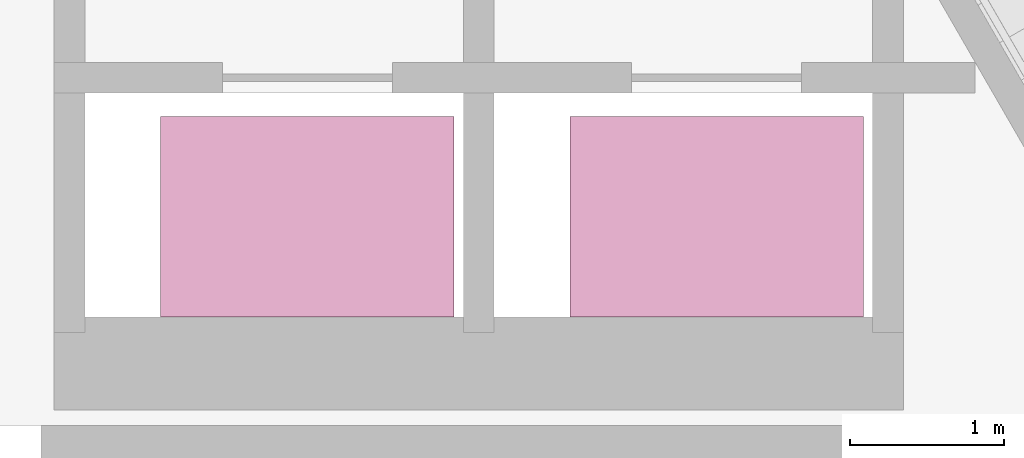
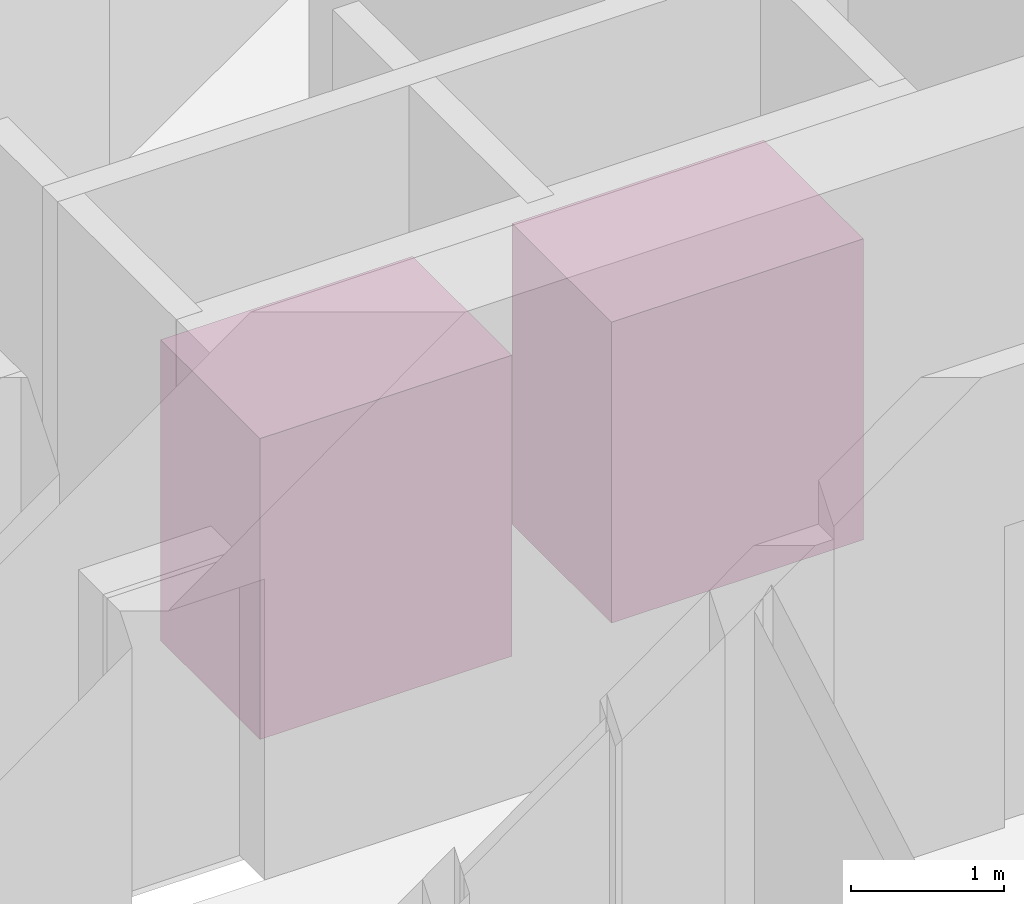
# One storey, part 15 of 15: 2 transport elements.
"""IFC4 building model written with IfcOpenShell, lengths in metres."""

from ifc_helpers import new_model, si_unit, direction, frame, origin, origin_2d, place, context, subcontext, project, spatial, rectangle, extrude, material, type_object, element, save


model = new_model("IFC4")

# Units and contexts
model_context = context("Model", 3, precision=1e-05, world=origin(), true_north=direction((0.0, 1.0)))
body_context = subcontext(model_context, "Body", "Model", "MODEL_VIEW")
ifc_project = project(units=[si_unit("LENGTHUNIT", "METRE"), si_unit("AREAUNIT", "SQUARE_METRE"), si_unit("VOLUMEUNIT", "CUBIC_METRE"), si_unit("PLANEANGLEUNIT", "RADIAN"), si_unit("MASSUNIT", "GRAM", prefix="KILO")], contexts=[model_context])

# Site, building, storey
site_placement = place(None, origin())
site = spatial("IfcSite", under=ifc_project, at=site_placement, CompositionType="ELEMENT")
building_placement = place(site_placement, origin())
building = spatial("IfcBuilding", under=site, at=building_placement, Name="Tramontana Tower", CompositionType="ELEMENT")
storey_placement = place(building_placement, frame((0.0, 0.0, 237.199951171875)))
storey = spatial("IfcBuildingStorey", under=building, at=storey_placement, Name="L55", CompositionType="ELEMENT", Elevation=237.199951171875)

# Transport elements
ifc_material = material(Name="LIFT PASSENGER 1000 1900X1300")
transport_element_type = type_object("IfcTransportElementType", Name="LIFT PASSENGER 1000 1900X1300", PredefinedType="ELEVATOR", material=ifc_material)
for number, where, z_axis, x_axis, name in (
    (1, (0.929931640625, -4.699951171875, 0.0), (0.0, 0.0, 1.0), (1.0, 0.0, 0.0), "Lift LH1"),
    (2, (3.580078125, -4.699951171875, 0.0), (0.0, 0.0, 1.0), (1.0, 0.0, 0.0), "Lift LH2"),
):
    element("IfcTransportElement", number, at=place(storey_placement, frame(where, z_axis=z_axis, x_axis=x_axis)), inside=storey, type_object=transport_element_type, Name=name, PredefinedType="ELEVATOR", context=body_context, shape_type="SweptSolid", body=[
        extrude(rectangle(XDim=1.89990234375, YDim=1.300048828125, at=origin_2d()), origin(), (0.0, 0.0, 1.0), 2.39990234375),
    ])

save(model, "model.ifc")
